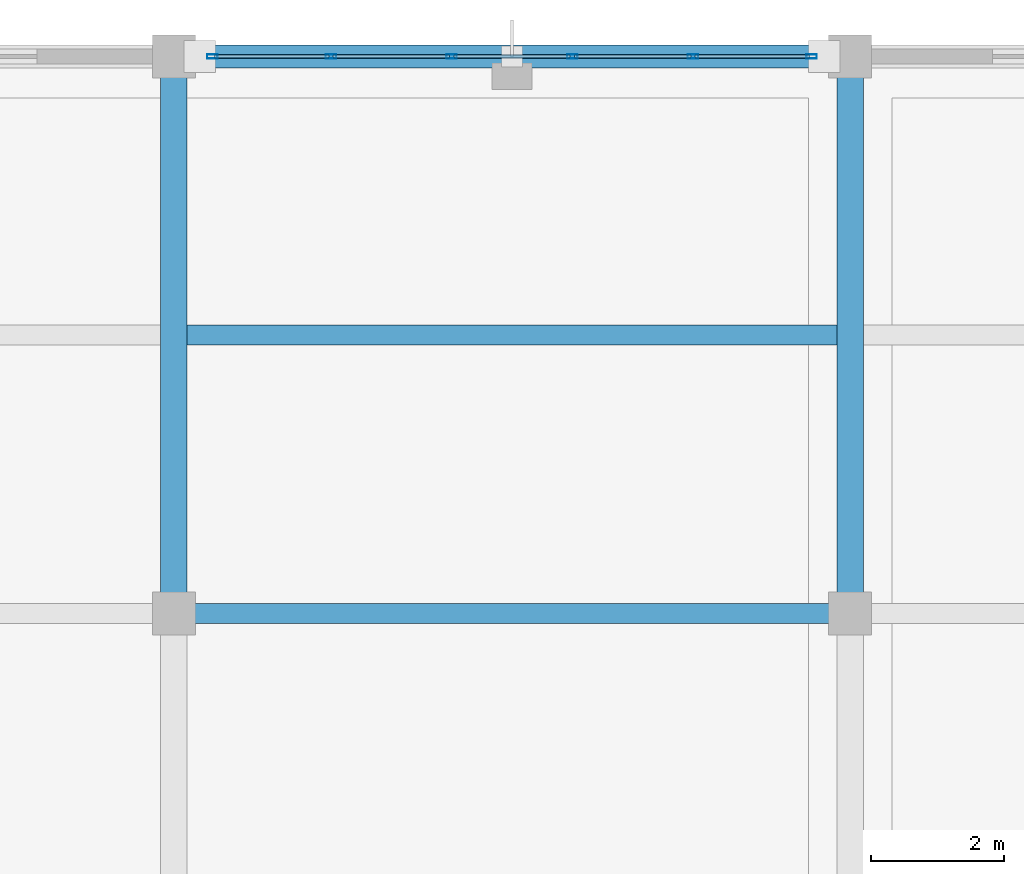
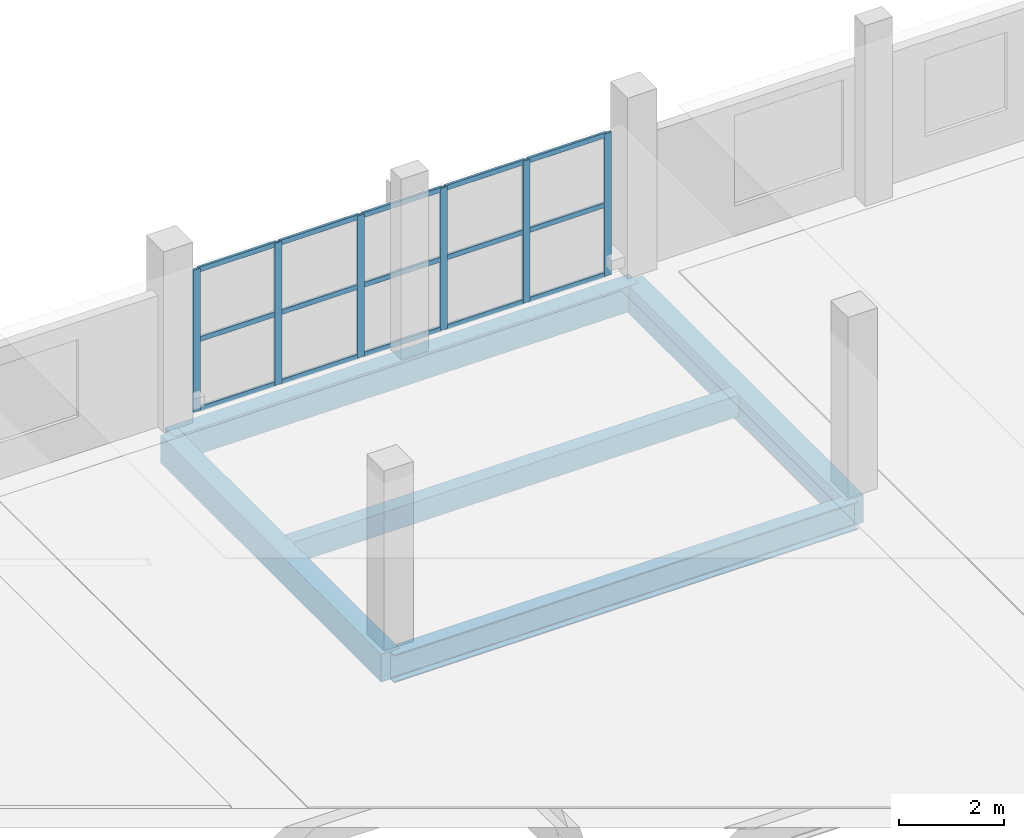
# One storey, part 100 of 135: 21 members, 5 beams, 1 element without a shape of its own.
"""IFC4 building model written with IfcOpenShell, lengths in metres."""

from ifc_helpers import new_model, si_unit, direction, frame, origin, origin_2d, place, context, subcontext, project, spatial, rectangle, hollow_rectangle, i_section, extrude, material, material_profile, profile_set, type_object, element, aggregate, save


model = new_model("IFC4")

# Units and contexts
model_context = context("Model", 3, precision=1e-05, world=origin(), true_north=direction((0.0, 1.0)))
body_context = subcontext(model_context, "Body", "Model", "MODEL_VIEW")
ifc_project = project(units=[si_unit("LENGTHUNIT", "METRE"), si_unit("AREAUNIT", "SQUARE_METRE"), si_unit("VOLUMEUNIT", "CUBIC_METRE"), si_unit("PLANEANGLEUNIT", "RADIAN"), si_unit("MASSUNIT", "GRAM", prefix="KILO")], contexts=[model_context])

# Site, building, storey
site_placement = place(None, origin())
site = spatial("IfcSite", under=ifc_project, at=site_placement, CompositionType="ELEMENT")
building_placement = place(site_placement, origin())
building = spatial("IfcBuilding", under=site, at=building_placement, Name="Brelvane Convention Centre", CompositionType="ELEMENT")
storey_placement = place(building_placement, frame((0.0, 0.0, 15.0)))
storey = spatial("IfcBuildingStorey", under=building, at=storey_placement, Name="L03", CompositionType="ELEMENT", Elevation=15.0)

# Curtain wall, members
ifc_material_1 = material(Name="Anodised Aluminium Alloy 6063-T6", Category="aluminium")
curtain_wall_type = type_object("IfcCurtainWallType", Name="Curtain Wall CW-BOUL", PredefinedType="USERDEFINED", material=ifc_material_1)
curtain_wall_placement = place(storey_placement, origin())
curtain_wall = element("IfcCurtainWall", 1, at=curtain_wall_placement, inside=storey, type_object=curtain_wall_type, Name="Curtain Wall CW-BOUL L03-V4N-06", ObjectType="UNITISED", PredefinedType="USERDEFINED")
ifc_material_2 = material(Name="Anodised Aluminium Alloy 6063-T6", Category="aluminium")
ifc_material_profile_1 = material_profile(ifc_material_2, hollow_rectangle(XDim=0.06494140625, YDim=0.159912109375, WallThickness=0.00390625, InnerFilletRadius=0.00390625, OuterFilletRadius=0.008056640625, at=origin_2d()), Name="ALU-M 160x65x4.0")
ifc_profile_set_1 = profile_set([ifc_material_profile_1], Name="Anodised Aluminium Alloy 6063-T6")
member_type_1 = type_object("IfcMemberType", Name="Curtain Mullion CW-M3", PredefinedType="MULLION", material=ifc_profile_set_1)
member_1_placement = place(storey_placement, frame((51.58251953125, 144.0, 0.0), z_axis=(0.0, 0.0, 1.0), x_axis=(0.0, 1.0, 0.0)))
member_1 = element("IfcMember", 2, at=member_1_placement, type_object=member_type_1, Name="CW-BOUL mullion 1", PredefinedType="MULLION", context=body_context, shape_type="SweptSolid", body=[
    extrude(hollow_rectangle(XDim=0.06494140625, YDim=0.159912109375, WallThickness=0.00390625, InnerFilletRadius=0.00390625, OuterFilletRadius=0.008056640625, at=origin_2d()), origin(), (0.0, 0.0, 1.0), 3.300048828125),
])
member_2_placement = place(storey_placement, frame((53.3701171875, 144.0, 0.0), z_axis=(0.0, 0.0, 1.0), x_axis=(0.0, 1.0, 0.0)))
member_2 = element("IfcMember", 3, at=member_2_placement, type_object=member_type_1, Name="CW-BOUL mullion 2", PredefinedType="MULLION", context=body_context, shape_type="SweptSolid", body=[
    extrude(hollow_rectangle(XDim=0.06494140625, YDim=0.159912109375, WallThickness=0.00390625, InnerFilletRadius=0.00390625, OuterFilletRadius=0.008056640625, at=origin_2d()), origin(), (0.0, 0.0, 1.0), 3.300048828125),
])
member_3_placement = place(storey_placement, frame((55.18994140625, 144.0, 0.0), z_axis=(0.0, 0.0, 1.0), x_axis=(0.0, 1.0, 0.0)))
member_3 = element("IfcMember", 4, at=member_3_placement, type_object=member_type_1, Name="CW-BOUL mullion 3", PredefinedType="MULLION", context=body_context, shape_type="SweptSolid", body=[
    extrude(hollow_rectangle(XDim=0.06494140625, YDim=0.159912109375, WallThickness=0.00390625, InnerFilletRadius=0.00390625, OuterFilletRadius=0.008056640625, at=origin_2d()), origin(), (0.0, 0.0, 1.0), 3.300048828125),
])
member_4_placement = place(storey_placement, frame((57.010009765625, 144.0, 0.0), z_axis=(0.0, 0.0, 1.0), x_axis=(0.0, 1.0, 0.0)))
member_4 = element("IfcMember", 5, at=member_4_placement, type_object=member_type_1, Name="CW-BOUL mullion 4", PredefinedType="MULLION", context=body_context, shape_type="SweptSolid", body=[
    extrude(hollow_rectangle(XDim=0.06494140625, YDim=0.159912109375, WallThickness=0.00390625, InnerFilletRadius=0.00390625, OuterFilletRadius=0.008056640625, at=origin_2d()), origin(), (0.0, 0.0, 1.0), 3.300048828125),
])
member_5_placement = place(storey_placement, frame((58.830078125, 144.0, 0.0), z_axis=(0.0, 0.0, 1.0), x_axis=(0.0, 1.0, 0.0)))
member_5 = element("IfcMember", 6, at=member_5_placement, type_object=member_type_1, Name="CW-BOUL mullion 5", PredefinedType="MULLION", context=body_context, shape_type="SweptSolid", body=[
    extrude(hollow_rectangle(XDim=0.06494140625, YDim=0.159912109375, WallThickness=0.00390625, InnerFilletRadius=0.00390625, OuterFilletRadius=0.008056640625, at=origin_2d()), origin(), (0.0, 0.0, 1.0), 3.300048828125),
])
member_6_placement = place(storey_placement, frame((60.617431640625, 144.0, 0.0), z_axis=(0.0, 0.0, 1.0), x_axis=(0.0, 1.0, 0.0)))
member_6 = element("IfcMember", 7, at=member_6_placement, type_object=member_type_1, Name="CW-BOUL mullion 6", PredefinedType="MULLION", context=body_context, shape_type="SweptSolid", body=[
    extrude(hollow_rectangle(XDim=0.06494140625, YDim=0.159912109375, WallThickness=0.00390625, InnerFilletRadius=0.00390625, OuterFilletRadius=0.008056640625, at=origin_2d()), origin(), (0.0, 0.0, 1.0), 3.300048828125),
])
ifc_material_3 = material(Name="Anodised Aluminium Alloy 6063-T6", Category="aluminium")
ifc_material_profile_2 = material_profile(ifc_material_3, hollow_rectangle(XDim=0.06005859375, YDim=0.1201171875, WallThickness=0.00390625, InnerFilletRadius=0.00390625, OuterFilletRadius=0.008056640625, at=origin_2d()), Name="ALU-T 120x60x4.0")
ifc_profile_set_2 = profile_set([ifc_material_profile_2], Name="Anodised Aluminium Alloy 6063-T6")
member_type_2 = type_object("IfcMemberType", Name="Curtain Transom CW-T3", PredefinedType="USERDEFINED", material=ifc_profile_set_2)
member_7_placement = place(storey_placement, frame((51.614990234375, 144.0, 0.030029296875), z_axis=(1.0, 0.0, 0.0), x_axis=(0.0, 1.0, 0.0)))
member_7 = element("IfcMember", 8, at=member_7_placement, type_object=member_type_2, Name="CW-BOUL transom 1.1", ObjectType="TRANSOM", PredefinedType="USERDEFINED", context=body_context, shape_type="SweptSolid", body=[
    extrude(hollow_rectangle(XDim=0.06005859375, YDim=0.1201171875, WallThickness=0.00390625, InnerFilletRadius=0.00390625, OuterFilletRadius=0.008056640625, at=origin_2d()), origin(), (0.0, 0.0, 1.0), 1.722412109375),
])
member_8_placement = place(storey_placement, frame((51.614990234375, 144.0, 1.64990234375), z_axis=(1.0, 0.0, 0.0), x_axis=(0.0, 1.0, 0.0)))
member_8 = element("IfcMember", 9, at=member_8_placement, type_object=member_type_2, Name="CW-BOUL transom 1.2", ObjectType="TRANSOM", PredefinedType="USERDEFINED", context=body_context, shape_type="SweptSolid", body=[
    extrude(hollow_rectangle(XDim=0.06005859375, YDim=0.1201171875, WallThickness=0.00390625, InnerFilletRadius=0.00390625, OuterFilletRadius=0.008056640625, at=origin_2d()), origin(), (0.0, 0.0, 1.0), 1.722412109375),
])
member_9_placement = place(storey_placement, frame((51.614990234375, 144.0, 3.27001953125), z_axis=(1.0, 0.0, 0.0), x_axis=(0.0, 1.0, 0.0)))
member_9 = element("IfcMember", 10, at=member_9_placement, type_object=member_type_2, Name="CW-BOUL transom 1.3", ObjectType="TRANSOM", PredefinedType="USERDEFINED", context=body_context, shape_type="SweptSolid", body=[
    extrude(hollow_rectangle(XDim=0.06005859375, YDim=0.1201171875, WallThickness=0.00390625, InnerFilletRadius=0.00390625, OuterFilletRadius=0.008056640625, at=origin_2d()), origin(), (0.0, 0.0, 1.0), 1.722412109375),
])
member_10_placement = place(storey_placement, frame((53.402587890625, 144.0, 0.030029296875), z_axis=(1.0, 0.0, 0.0), x_axis=(0.0, 1.0, 0.0)))
member_10 = element("IfcMember", 11, at=member_10_placement, type_object=member_type_2, Name="CW-BOUL transom 2.1", ObjectType="TRANSOM", PredefinedType="USERDEFINED", context=body_context, shape_type="SweptSolid", body=[
    extrude(hollow_rectangle(XDim=0.06005859375, YDim=0.1201171875, WallThickness=0.00390625, InnerFilletRadius=0.00390625, OuterFilletRadius=0.008056640625, at=origin_2d()), origin(), (0.0, 0.0, 1.0), 1.7548828125),
])
member_11_placement = place(storey_placement, frame((53.402587890625, 144.0, 1.64990234375), z_axis=(1.0, 0.0, 0.0), x_axis=(0.0, 1.0, 0.0)))
member_11 = element("IfcMember", 12, at=member_11_placement, type_object=member_type_2, Name="CW-BOUL transom 2.2", ObjectType="TRANSOM", PredefinedType="USERDEFINED", context=body_context, shape_type="SweptSolid", body=[
    extrude(hollow_rectangle(XDim=0.06005859375, YDim=0.1201171875, WallThickness=0.00390625, InnerFilletRadius=0.00390625, OuterFilletRadius=0.008056640625, at=origin_2d()), origin(), (0.0, 0.0, 1.0), 1.7548828125),
])
member_12_placement = place(storey_placement, frame((53.402587890625, 144.0, 3.27001953125), z_axis=(1.0, 0.0, 0.0), x_axis=(0.0, 1.0, 0.0)))
member_12 = element("IfcMember", 13, at=member_12_placement, type_object=member_type_2, Name="CW-BOUL transom 2.3", ObjectType="TRANSOM", PredefinedType="USERDEFINED", context=body_context, shape_type="SweptSolid", body=[
    extrude(hollow_rectangle(XDim=0.06005859375, YDim=0.1201171875, WallThickness=0.00390625, InnerFilletRadius=0.00390625, OuterFilletRadius=0.008056640625, at=origin_2d()), origin(), (0.0, 0.0, 1.0), 1.7548828125),
])
member_13_placement = place(storey_placement, frame((55.222412109375, 144.0, 0.030029296875), z_axis=(1.0, 0.0, 0.0), x_axis=(0.0, 1.0, 0.0)))
member_13 = element("IfcMember", 14, at=member_13_placement, type_object=member_type_2, Name="CW-BOUL transom 3.1", ObjectType="TRANSOM", PredefinedType="USERDEFINED", context=body_context, shape_type="SweptSolid", body=[
    extrude(hollow_rectangle(XDim=0.06005859375, YDim=0.1201171875, WallThickness=0.00390625, InnerFilletRadius=0.00390625, OuterFilletRadius=0.008056640625, at=origin_2d()), origin(), (0.0, 0.0, 1.0), 1.755126953125),
])
member_14_placement = place(storey_placement, frame((55.222412109375, 144.0, 1.64990234375), z_axis=(1.0, 0.0, 0.0), x_axis=(0.0, 1.0, 0.0)))
member_14 = element("IfcMember", 15, at=member_14_placement, type_object=member_type_2, Name="CW-BOUL transom 3.2", ObjectType="TRANSOM", PredefinedType="USERDEFINED", context=body_context, shape_type="SweptSolid", body=[
    extrude(hollow_rectangle(XDim=0.06005859375, YDim=0.1201171875, WallThickness=0.00390625, InnerFilletRadius=0.00390625, OuterFilletRadius=0.008056640625, at=origin_2d()), origin(), (0.0, 0.0, 1.0), 1.755126953125),
])
member_15_placement = place(storey_placement, frame((55.222412109375, 144.0, 3.27001953125), z_axis=(1.0, 0.0, 0.0), x_axis=(0.0, 1.0, 0.0)))
member_15 = element("IfcMember", 16, at=member_15_placement, type_object=member_type_2, Name="CW-BOUL transom 3.3", ObjectType="TRANSOM", PredefinedType="USERDEFINED", context=body_context, shape_type="SweptSolid", body=[
    extrude(hollow_rectangle(XDim=0.06005859375, YDim=0.1201171875, WallThickness=0.00390625, InnerFilletRadius=0.00390625, OuterFilletRadius=0.008056640625, at=origin_2d()), origin(), (0.0, 0.0, 1.0), 1.755126953125),
])
member_16_placement = place(storey_placement, frame((57.04248046875, 144.0, 0.030029296875), z_axis=(1.0, 0.0, 0.0), x_axis=(0.0, 1.0, 0.0)))
member_16 = element("IfcMember", 17, at=member_16_placement, type_object=member_type_2, Name="CW-BOUL transom 4.1", ObjectType="TRANSOM", PredefinedType="USERDEFINED", context=body_context, shape_type="SweptSolid", body=[
    extrude(hollow_rectangle(XDim=0.06005859375, YDim=0.1201171875, WallThickness=0.00390625, InnerFilletRadius=0.00390625, OuterFilletRadius=0.008056640625, at=origin_2d()), origin(), (0.0, 0.0, 1.0), 1.755126953125),
])
member_17_placement = place(storey_placement, frame((57.04248046875, 144.0, 1.64990234375), z_axis=(1.0, 0.0, 0.0), x_axis=(0.0, 1.0, 0.0)))
member_17 = element("IfcMember", 18, at=member_17_placement, type_object=member_type_2, Name="CW-BOUL transom 4.2", ObjectType="TRANSOM", PredefinedType="USERDEFINED", context=body_context, shape_type="SweptSolid", body=[
    extrude(hollow_rectangle(XDim=0.06005859375, YDim=0.1201171875, WallThickness=0.00390625, InnerFilletRadius=0.00390625, OuterFilletRadius=0.008056640625, at=origin_2d()), origin(), (0.0, 0.0, 1.0), 1.755126953125),
])
member_18_placement = place(storey_placement, frame((57.04248046875, 144.0, 3.27001953125), z_axis=(1.0, 0.0, 0.0), x_axis=(0.0, 1.0, 0.0)))
member_18 = element("IfcMember", 19, at=member_18_placement, type_object=member_type_2, Name="CW-BOUL transom 4.3", ObjectType="TRANSOM", PredefinedType="USERDEFINED", context=body_context, shape_type="SweptSolid", body=[
    extrude(hollow_rectangle(XDim=0.06005859375, YDim=0.1201171875, WallThickness=0.00390625, InnerFilletRadius=0.00390625, OuterFilletRadius=0.008056640625, at=origin_2d()), origin(), (0.0, 0.0, 1.0), 1.755126953125),
])
member_19_placement = place(storey_placement, frame((58.862548828125, 144.0, 0.030029296875), z_axis=(1.0, 0.0, 0.0), x_axis=(0.0, 1.0, 0.0)))
member_19 = element("IfcMember", 20, at=member_19_placement, type_object=member_type_2, Name="CW-BOUL transom 5.1", ObjectType="TRANSOM", PredefinedType="USERDEFINED", context=body_context, shape_type="SweptSolid", body=[
    extrude(hollow_rectangle(XDim=0.06005859375, YDim=0.1201171875, WallThickness=0.00390625, InnerFilletRadius=0.00390625, OuterFilletRadius=0.008056640625, at=origin_2d()), origin(), (0.0, 0.0, 1.0), 1.722412109375),
])
member_20_placement = place(storey_placement, frame((58.862548828125, 144.0, 1.64990234375), z_axis=(1.0, 0.0, 0.0), x_axis=(0.0, 1.0, 0.0)))
member_20 = element("IfcMember", 21, at=member_20_placement, type_object=member_type_2, Name="CW-BOUL transom 5.2", ObjectType="TRANSOM", PredefinedType="USERDEFINED", context=body_context, shape_type="SweptSolid", body=[
    extrude(hollow_rectangle(XDim=0.06005859375, YDim=0.1201171875, WallThickness=0.00390625, InnerFilletRadius=0.00390625, OuterFilletRadius=0.008056640625, at=origin_2d()), origin(), (0.0, 0.0, 1.0), 1.722412109375),
])
member_21_placement = place(storey_placement, frame((58.862548828125, 144.0, 3.27001953125), z_axis=(1.0, 0.0, 0.0), x_axis=(0.0, 1.0, 0.0)))
member_21 = element("IfcMember", 22, at=member_21_placement, type_object=member_type_2, Name="CW-BOUL transom 5.3", ObjectType="TRANSOM", PredefinedType="USERDEFINED", context=body_context, shape_type="SweptSolid", body=[
    extrude(hollow_rectangle(XDim=0.06005859375, YDim=0.1201171875, WallThickness=0.00390625, InnerFilletRadius=0.00390625, OuterFilletRadius=0.008056640625, at=origin_2d()), origin(), (0.0, 0.0, 1.0), 1.722412109375),
])
aggregate(curtain_wall, [member_1, member_2, member_3, member_4, member_5, member_6, member_7, member_8, member_9, member_10, member_11, member_12, member_13, member_14, member_15, member_16, member_17, member_18, member_19, member_20, member_21])

# Beams
ifc_material_4 = material(Name="Concrete M40", Category="concrete")
ifc_material_profile_3 = material_profile(ifc_material_4, rectangle(XDim=0.39990234375, YDim=0.64990234375, at=origin_2d()), Name="RC 400x650")
ifc_profile_set_3 = profile_set([ifc_material_profile_3], Name="Concrete M40")
beam_type_1 = type_object("IfcBeamType", Name="RC Beam B-RC7 (RC 400x650)", PredefinedType="BEAM", material=ifc_profile_set_3)
for number, where, z_axis, x_axis, name in (
    (23, (51.0, 135.60009765625, -0.6201171875), (0.0, 1.0, 0.0), (-1.0, 0.0, 0.0), "L03 Girder 6/P-Q"),
    (24, (61.199951171875, 135.60009765625, -0.6201171875), (0.0, 1.0, 0.0), (-1.0, 0.0, 0.0), "L03 Girder 7/P-Q"),
):
    element("IfcBeam", number, at=place(storey_placement, frame(where, z_axis=z_axis, x_axis=x_axis)), inside=storey, type_object=beam_type_1, Name=name, PredefinedType="BEAM", context=body_context, shape_type="SweptSolid", body=[
        extrude(rectangle(XDim=0.39990234375, YDim=0.64990234375, at=origin_2d()), origin(), (0.0, 0.0, 1.0), 8.39990234375),
    ])
ifc_material_5 = material(Name="Concrete M40", Category="concrete")
ifc_material_profile_4 = material_profile(ifc_material_5, rectangle(XDim=0.300048828125, YDim=0.5, at=origin_2d()), Name="RC 300x500")
ifc_profile_set_4 = profile_set([ifc_material_profile_4], Name="Concrete M40")
beam_type_2 = type_object("IfcBeamType", Name="RC Joist J-RC2 (RC 300x500)", PredefinedType="JOIST", material=ifc_profile_set_4)
beam_1_placement = place(storey_placement, frame((51.199951171875, 139.800048828125, -0.544921875), z_axis=(1.0, 0.0, 0.0), x_axis=(0.0, 1.0, 0.0)))
element("IfcBeam", 25, at=beam_1_placement, inside=storey, type_object=beam_type_2, Name="L03 Secondary Joist 6-7/PQ", PredefinedType="JOIST", context=body_context, shape_type="SweptSolid", body=[
    extrude(rectangle(XDim=0.300048828125, YDim=0.5, at=origin_2d()), origin(), (0.0, 0.0, 1.0), 9.800048828125),
])
ifc_material_6 = material(Name="Concrete M40", Category="concrete")
ifc_material_profile_5 = material_profile(ifc_material_6, rectangle(XDim=0.35009765625, YDim=0.60009765625, at=origin_2d()), Name="RC 350x600")
ifc_profile_set_5 = profile_set([ifc_material_profile_5], Name="Concrete M40")
beam_type_3 = type_object("IfcBeamType", Name="RC Spandrel SP-RC2 (RC 350x600)", PredefinedType="SPANDREL", material=ifc_profile_set_5)
beam_2_placement = place(storey_placement, frame((51.0, 144.0, -0.594970703125), z_axis=(1.0, 0.0, 0.0), x_axis=(0.0, 1.0, 0.0)))
element("IfcBeam", 26, at=beam_2_placement, inside=storey, type_object=beam_type_3, Name="L03 Beam 6-7/Q", PredefinedType="SPANDREL", context=body_context, shape_type="SweptSolid", body=[
    extrude(rectangle(XDim=0.35009765625, YDim=0.60009765625, at=origin_2d()), origin(), (0.0, 0.0, 1.0), 10.199951171875),
])
ifc_material_7 = material(Name="Steel E350 (350 MPa)", Category="steel")
ifc_material_profile_6 = material_profile(ifc_material_7, i_section(OverallWidth=0.300048828125, OverallDepth=0.64990234375, WebThickness=0.014404296875, FlangeThickness=0.02587890625, FilletRadius=0.02392578125, at=origin_2d()), Name="NPB 650x300")
ifc_profile_set_6 = profile_set([ifc_material_profile_6], Name="Steel E350 (350 MPa)")
beam_type_4 = type_object("IfcBeamType", Name="Steel Beam B-ST4 (NPB 650x300)", PredefinedType="BEAM", material=ifc_profile_set_6)
beam_3_placement = place(storey_placement, frame((51.0, 135.60009765625, -0.6201171875), z_axis=(1.0, 0.0, 0.0), x_axis=(0.0, 1.0, 0.0)))
element("IfcBeam", 27, at=beam_3_placement, inside=storey, type_object=beam_type_4, Name="L03 Beam 6-7/P", PredefinedType="BEAM", context=body_context, shape_type="SweptSolid", body=[
    extrude(i_section(OverallWidth=0.300048828125, OverallDepth=0.64990234375, WebThickness=0.014404296875, FlangeThickness=0.02587890625, FilletRadius=0.02392578125, at=origin_2d()), origin(), (0.0, 0.0, 1.0), 10.199951171875),
])

save(model, "model.ifc")
